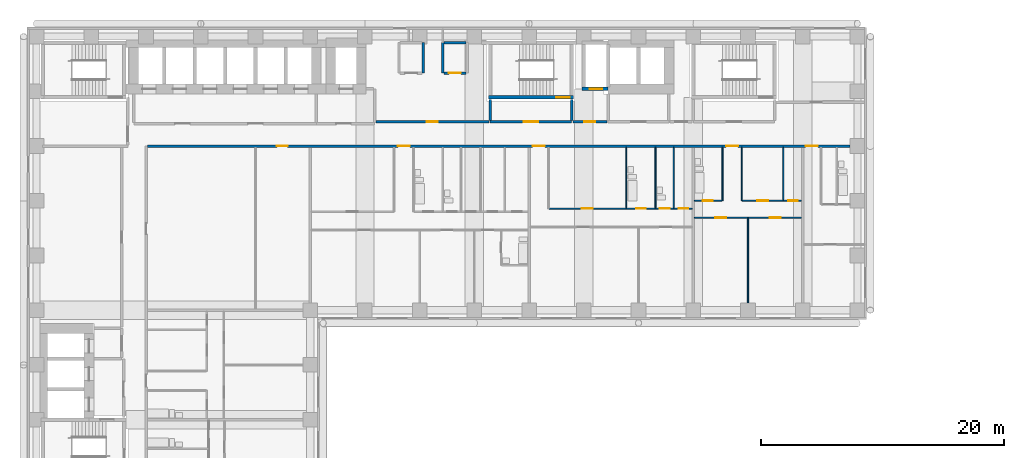
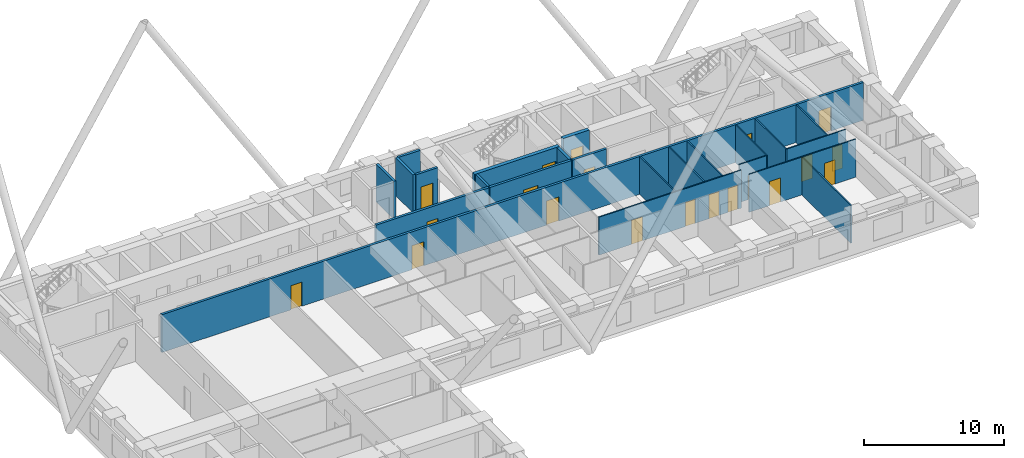
# One storey, part 13 of 20: 23 walls, 20 doors, 20 openings.
"""IFC4 building model written with IfcOpenShell, lengths in metres."""

from ifc_helpers import new_model, si_unit, direction, frame, frame_2d, origin, place, context, subcontext, project, spatial, rectangle, extrude, material, layer, layer_set, type_object, element, fill, save


model = new_model("IFC4")

# Units and contexts
model_context = context("Model", 3, precision=1e-05, world=origin(), true_north=direction((0.0, 1.0)))
body_context = subcontext(model_context, "Body", "Model", "MODEL_VIEW")
ifc_project = project(units=[si_unit("LENGTHUNIT", "METRE"), si_unit("AREAUNIT", "SQUARE_METRE"), si_unit("VOLUMEUNIT", "CUBIC_METRE"), si_unit("PLANEANGLEUNIT", "RADIAN"), si_unit("MASSUNIT", "GRAM", prefix="KILO")], contexts=[model_context])

# Site, building, storey
site_placement = place(None, origin())
site = spatial("IfcSite", under=ifc_project, at=site_placement, CompositionType="ELEMENT")
building_placement = place(site_placement, origin())
building = spatial("IfcBuilding", under=site, at=building_placement, Name="Firuza Court", CompositionType="ELEMENT")
storey_placement = place(building_placement, frame((0.0, 0.0, 29.0)))
storey = spatial("IfcBuildingStorey", under=building, at=storey_placement, Name="L05", CompositionType="ELEMENT", Elevation=29.0)

# Walls
ifc_material_1 = material(Name="Moisture-resistant gypsum board partition")
ifc_layer_1 = layer(ifc_material_1, 0.10009765625)
ifc_layer_set_1 = layer_set([ifc_layer_1], Name="Moisture-resistant gypsum board partition")
wall_type_1 = type_object("IfcWallType", Name="Bathroom partition 100", PredefinedType="PLUMBINGWALL", material=ifc_layer_set_1)
for number, where, z_axis, x_axis, name in (
    (1, (48.5, 44.39990234375, 0.0), (0.0, 0.0, 1.0), (0.0, 1.0, 0.0), "Bathroom partition 100 L05"),
    (2, (50.89990234375, 44.39990234375, 0.0), (0.0, 0.0, 1.0), (0.0, 1.0, 0.0), "Bathroom partition 100 L05"),
    (3, (52.39990234375, 44.39990234375, 0.0), (0.0, 0.0, 1.0), (0.0, 1.0, 0.0), "Bathroom partition 100 L05"),
):
    element("IfcWall", number, at=place(storey_placement, frame(where, z_axis=z_axis, x_axis=x_axis)), inside=storey, type_object=wall_type_1, Name=name, PredefinedType="PLUMBINGWALL", context=body_context, shape_type="SweptSolid", body=[
        extrude(rectangle(XDim=5.0, YDim=0.10009765625, at=frame_2d((2.5, 0.0))), origin(), (0.0, 0.0, 1.0), 3.300048828125),
    ])
wall_1_placement = place(storey_placement, frame((56.39990234375, 45.0, 0.0), z_axis=(0.0, 0.0, 1.0), x_axis=(0.0, 1.0, 0.0)))
element("IfcWall", 4, at=wall_1_placement, inside=storey, type_object=wall_type_1, Name="Bathroom partition 100 L05", PredefinedType="PLUMBINGWALL", context=body_context, shape_type="SweptSolid", body=[
    extrude(rectangle(XDim=4.39990234375, YDim=0.10009765625, at=frame_2d((2.199951171875, 0.0))), origin(), (0.0, 0.0, 1.0), 3.300048828125),
])

# Wall, opening, door
ifc_material_2 = material(Name="Concrete C60/75", Category="concrete")
ifc_layer_2 = layer(ifc_material_2, 0.300048828125)
ifc_layer_set_2 = layer_set([ifc_layer_2], Name="Concrete C60/75")
wall_type_2 = type_object("IfcWallType", Name="Core wall 300 C60/75", PredefinedType="SHEAR", material=ifc_layer_set_2)
wall_2_placement = place(storey_placement, frame((37.14990234375, 53.5, -0.300048828125), z_axis=(0.0, 0.0, 1.0), x_axis=(1.0, 0.0, 0.0)))
wall_2 = element("IfcWall", 5, at=wall_2_placement, inside=storey, type_object=wall_type_2, Name="Core wall stair L05", PredefinedType="SHEAR", context=body_context, shape_type="SweptSolid", body=[
    extrude(rectangle(XDim=7.0, YDim=0.300048828125, at=frame_2d((3.5, 0.0))), origin(), (0.0, 0.0, 1.0), 3.60009765625),
])
opening_1_placement = place(wall_2_placement, frame((5.580078125, 0.0, 0.300048828125)))
opening_1 = element("IfcOpeningElement", 6, at=opening_1_placement, cuts=wall_2, Name="Opening D05013", PredefinedType="OPENING", context=body_context, shape_type="SweptSolid", body=[
    extrude(rectangle(XDim=1.10009765625, YDim=2.10009765625, at=frame_2d((0.550048828125, 1.050048828125))), frame((0.0, 0.162109375, 0.0), z_axis=(0.0, -1.0, 0.0), x_axis=(1.0, 0.0, 0.0)), (0.0, 0.0, 1.0), 0.323974609375),
])
ifc_material_3 = material(Name="Timber door leaf in hardwood frame", Category="wood")
door_type_1 = type_object("IfcDoorType", Name="Stair door 1100", OperationType="SINGLE_SWING_LEFT", PredefinedType="DOOR", material=ifc_material_3)
door_1_placement = place(opening_1_placement, origin())
door_1 = element("IfcDoor", 7, at=door_1_placement, inside=storey, type_object=door_type_1, Name="Stair door S1", OperationType="SINGLE_SWING_RIGHT", OverallHeight=2.10009765625, OverallWidth=1.10009765625, PredefinedType="DOOR", context=body_context, shape_type="SweptSolid", body=[
    extrude(rectangle(XDim=1.10009765625, YDim=2.10009765625, at=frame_2d((0.550048828125, 1.050048828125))), frame((0.0, 0.02490234375, 0.0), z_axis=(0.0, -1.0, 0.0), x_axis=(1.0, 0.0, 0.0)), (0.0, 0.0, 1.0), 0.050048828125),
])
fill(opening_1, door_1)

wall_3_placement = place(storey_placement, frame((44.85009765625, 54.199951171875, -0.300048828125), z_axis=(0.0, 0.0, 1.0), x_axis=(1.0, 0.0, 0.0)))
wall_3 = element("IfcWall", 8, at=wall_3_placement, inside=storey, type_object=wall_type_2, Name="Core wall riser L05", PredefinedType="SHEAR", context=body_context, shape_type="SweptSolid", body=[
    extrude(rectangle(XDim=2.14990234375, YDim=0.300048828125, at=frame_2d((1.074951171875, 0.0))), origin(), (0.0, 0.0, 1.0), 3.60009765625),
])
opening_2_placement = place(wall_3_placement, frame((0.64990234375, 0.0, 0.300048828125)))
opening_2 = element("IfcOpeningElement", 9, at=opening_2_placement, cuts=wall_3, Name="Opening D05011", PredefinedType="OPENING", context=body_context, shape_type="SweptSolid", body=[
    extrude(rectangle(XDim=1.0, YDim=2.10009765625, at=frame_2d((0.5, 1.050048828125))), frame((0.0, 0.162109375, 0.0), z_axis=(0.0, -1.0, 0.0), x_axis=(1.0, 0.0, 0.0)), (0.0, 0.0, 1.0), 0.323974609375),
])
ifc_material_4 = material(Name="Timber door leaf in hardwood frame", Category="wood")
door_type_2 = type_object("IfcDoorType", Name="Riser door 1000", OperationType="SINGLE_SWING_LEFT", PredefinedType="DOOR", material=ifc_material_4)
door_2_placement = place(opening_2_placement, origin())
door_2 = element("IfcDoor", 10, at=door_2_placement, inside=storey, type_object=door_type_2, Name="Riser door R3", OperationType="SINGLE_SWING_LEFT", OverallHeight=2.10009765625, OverallWidth=1.0, PredefinedType="DOOR", context=body_context, shape_type="SweptSolid", body=[
    extrude(rectangle(XDim=1.0, YDim=2.10009765625, at=frame_2d((0.5, 1.050048828125))), frame((0.0, 0.02490234375, 0.0), z_axis=(0.0, -1.0, 0.0), x_axis=(1.0, 0.0, 0.0)), (0.0, 0.0, 1.0), 0.050048828125),
])
fill(opening_2, door_2)

# Wall, openings, doors
ifc_material_5 = material(Name="Blockwork, plastered both sides", Category="masonry")
ifc_layer_3 = layer(ifc_material_5, 0.199951171875)
ifc_layer_set_3 = layer_set([ifc_layer_3], Name="Blockwork, plastered both sides")
wall_type_3 = type_object("IfcWallType", Name="Corridor wall 200", PredefinedType="PARTITIONING", material=ifc_layer_set_3)
wall_4_placement = place(storey_placement, frame((9.10009765625, 49.5, 0.0), z_axis=(0.0, 0.0, 1.0), x_axis=(1.0, 0.0, 0.0)))
wall_4 = element("IfcWall", 11, at=wall_4_placement, inside=storey, type_object=wall_type_3, Name="Corridor wall 200 L05", PredefinedType="PARTITIONING", context=body_context, shape_type="SweptSolid", body=[
    extrude(rectangle(XDim=57.7998046875, YDim=0.199951171875, at=frame_2d((28.89990234375, 0.0))), origin(), (0.0, 0.0, 1.0), 3.300048828125),
])
opening_3_placement = place(wall_4_placement, frame((20.60009765625, 0.0, 0.0)))
opening_3 = element("IfcOpeningElement", 12, at=opening_3_placement, cuts=wall_4, Name="Opening D05066", PredefinedType="OPENING", context=body_context, shape_type="SweptSolid", body=[
    extrude(rectangle(XDim=1.0, YDim=2.10009765625, at=frame_2d((0.5, 1.050048828125))), frame((0.0, 0.11181640625, 0.0), z_axis=(0.0, -1.0, 0.0), x_axis=(1.0, 0.0, 0.0)), (0.0, 0.0, 1.0), 0.223876953125),
])
opening_4_placement = place(wall_4_placement, frame((31.699951171875, 0.0, 0.0)))
opening_4 = element("IfcOpeningElement", 13, at=opening_4_placement, cuts=wall_4, Name="Opening D05067", PredefinedType="OPENING", context=body_context, shape_type="SweptSolid", body=[
    extrude(rectangle(XDim=1.0, YDim=2.10009765625, at=frame_2d((0.5, 1.050048828125))), frame((0.0, 0.11181640625, 0.0), z_axis=(0.0, -1.0, 0.0), x_axis=(1.0, 0.0, 0.0)), (0.0, 0.0, 1.0), 0.223876953125),
])
opening_5_placement = place(wall_4_placement, frame((47.60009765625, 0.0, 0.0)))
opening_5 = element("IfcOpeningElement", 14, at=opening_5_placement, cuts=wall_4, Name="Opening D05068", PredefinedType="OPENING", context=body_context, shape_type="SweptSolid", body=[
    extrude(rectangle(XDim=1.0, YDim=2.10009765625, at=frame_2d((0.5, 1.050048828125))), frame((0.0, 0.11181640625, 0.0), z_axis=(0.0, -1.0, 0.0), x_axis=(1.0, 0.0, 0.0)), (0.0, 0.0, 1.0), 0.223876953125),
])
opening_6_placement = place(wall_4_placement, frame((54.14990234375, 0.0, 0.0)))
opening_6 = element("IfcOpeningElement", 15, at=opening_6_placement, cuts=wall_4, Name="Opening D05069", PredefinedType="OPENING", context=body_context, shape_type="SweptSolid", body=[
    extrude(rectangle(XDim=1.0, YDim=2.10009765625, at=frame_2d((0.5, 1.050048828125))), frame((0.0, 0.11181640625, 0.0), z_axis=(0.0, -1.0, 0.0), x_axis=(1.0, 0.0, 0.0)), (0.0, 0.0, 1.0), 0.223876953125),
])
opening_7_placement = place(wall_4_placement, frame((10.64990234375, 0.0, 0.0)))
opening_7 = element("IfcOpeningElement", 16, at=opening_7_placement, cuts=wall_4, Name="Opening D05070", PredefinedType="OPENING", context=body_context, shape_type="SweptSolid", body=[
    extrude(rectangle(XDim=0.89990234375, YDim=2.10009765625, at=frame_2d((0.449951171875, 1.050048828125))), frame((0.0, 0.11181640625, 0.0), z_axis=(0.0, -1.0, 0.0), x_axis=(1.0, 0.0, 0.0)), (0.0, 0.0, 1.0), 0.223876953125),
])
ifc_material_6 = material(Name="Timber door leaf in hardwood frame", Category="wood")
door_type_3 = type_object("IfcDoorType", Name="Flat entrance door 1000", OperationType="SINGLE_SWING_LEFT", PredefinedType="DOOR", material=ifc_material_6)
door_3_placement = place(opening_3_placement, origin())
door_3 = element("IfcDoor", 17, at=door_3_placement, inside=storey, type_object=door_type_3, Name="Flat entrance door", OperationType="SINGLE_SWING_LEFT", OverallHeight=2.10009765625, OverallWidth=1.0, PredefinedType="DOOR", context=body_context, shape_type="SweptSolid", body=[
    extrude(rectangle(XDim=1.0, YDim=2.10009765625, at=frame_2d((0.5, 1.050048828125))), frame((0.0, 0.02490234375, 0.0), z_axis=(0.0, -1.0, 0.0), x_axis=(1.0, 0.0, 0.0)), (0.0, 0.0, 1.0), 0.050048828125),
])
fill(opening_3, door_3)
door_4_placement = place(opening_4_placement, origin())
door_4 = element("IfcDoor", 18, at=door_4_placement, inside=storey, type_object=door_type_3, Name="Flat entrance door", OperationType="SINGLE_SWING_LEFT", OverallHeight=2.10009765625, OverallWidth=1.0, PredefinedType="DOOR", context=body_context, shape_type="SweptSolid", body=[
    extrude(rectangle(XDim=1.0, YDim=2.10009765625, at=frame_2d((0.5, 1.050048828125))), frame((0.0, 0.02490234375, 0.0), z_axis=(0.0, -1.0, 0.0), x_axis=(1.0, 0.0, 0.0)), (0.0, 0.0, 1.0), 0.050048828125),
])
fill(opening_4, door_4)
door_5_placement = place(opening_5_placement, origin())
door_5 = element("IfcDoor", 19, at=door_5_placement, inside=storey, type_object=door_type_3, Name="Flat entrance door", OperationType="SINGLE_SWING_LEFT", OverallHeight=2.10009765625, OverallWidth=1.0, PredefinedType="DOOR", context=body_context, shape_type="SweptSolid", body=[
    extrude(rectangle(XDim=1.0, YDim=2.10009765625, at=frame_2d((0.5, 1.050048828125))), frame((0.0, 0.02490234375, 0.0), z_axis=(0.0, -1.0, 0.0), x_axis=(1.0, 0.0, 0.0)), (0.0, 0.0, 1.0), 0.050048828125),
])
fill(opening_5, door_5)
door_6_placement = place(opening_6_placement, origin())
door_6 = element("IfcDoor", 20, at=door_6_placement, inside=storey, type_object=door_type_3, Name="Flat entrance door", OperationType="SINGLE_SWING_RIGHT", OverallHeight=2.10009765625, OverallWidth=1.0, PredefinedType="DOOR", context=body_context, shape_type="SweptSolid", body=[
    extrude(rectangle(XDim=1.0, YDim=2.10009765625, at=frame_2d((0.5, 1.050048828125))), frame((0.0, 0.02490234375, 0.0), z_axis=(0.0, -1.0, 0.0), x_axis=(1.0, 0.0, 0.0)), (0.0, 0.0, 1.0), 0.050048828125),
])
fill(opening_6, door_6)
ifc_material_7 = material(Name="Timber door leaf in hardwood frame", Category="wood")
door_type_4 = type_object("IfcDoorType", Name="Room door 900 EI 30", OperationType="SINGLE_SWING_LEFT", PredefinedType="DOOR", material=ifc_material_7)
door_7_placement = place(opening_7_placement, frame((0.89990234375, 0.0, 0.0), z_axis=(0.0, 0.0, 1.0), x_axis=(-1.0, 0.0, 0.0)))
door_7 = element("IfcDoor", 21, at=door_7_placement, inside=storey, type_object=door_type_4, Name="Library door", OperationType="SINGLE_SWING_RIGHT", OverallHeight=2.10009765625, OverallWidth=0.89990234375, PredefinedType="DOOR", context=body_context, shape_type="SweptSolid", body=[
    extrude(rectangle(XDim=0.89990234375, YDim=2.10009765625, at=frame_2d((0.449951171875, 1.050048828125))), frame((0.0, 0.02490234375, 0.0), z_axis=(0.0, -1.0, 0.0), x_axis=(1.0, 0.0, 0.0)), (0.0, 0.0, 1.0), 0.050048828125),
])
fill(opening_7, door_7)

# Wall, opening, door
wall_5_placement = place(storey_placement, frame((27.89990234375, 51.5, 0.0), z_axis=(0.0, 0.0, 1.0), x_axis=(1.0, 0.0, 0.0)))
wall_5 = element("IfcWall", 22, at=wall_5_placement, inside=storey, type_object=wall_type_3, Name="Corridor wall 200 L05", PredefinedType="PARTITIONING", context=body_context, shape_type="SweptSolid", body=[
    extrude(rectangle(XDim=9.300048828125, YDim=0.199951171875, at=frame_2d((4.64990234375, 0.0))), origin(), (0.0, 0.0, 1.0), 3.300048828125),
])
opening_8_placement = place(wall_5_placement, frame((4.199951171875, 0.0, 0.0)))
opening_8 = element("IfcOpeningElement", 23, at=opening_8_placement, cuts=wall_5, Name="Opening D05071", PredefinedType="OPENING", context=body_context, shape_type="SweptSolid", body=[
    extrude(rectangle(XDim=0.89990234375, YDim=2.10009765625, at=frame_2d((0.449951171875, 1.050048828125))), frame((0.0, 0.11181640625, 0.0), z_axis=(0.0, -1.0, 0.0), x_axis=(1.0, 0.0, 0.0)), (0.0, 0.0, 1.0), 0.223876953125),
])
door_8_placement = place(opening_8_placement, origin())
door_8 = element("IfcDoor", 24, at=door_8_placement, inside=storey, type_object=door_type_4, Name="Meeting room door", OperationType="SINGLE_SWING_LEFT", OverallHeight=2.10009765625, OverallWidth=0.89990234375, PredefinedType="DOOR", context=body_context, shape_type="SweptSolid", body=[
    extrude(rectangle(XDim=0.89990234375, YDim=2.10009765625, at=frame_2d((0.449951171875, 1.050048828125))), frame((0.0, 0.02490234375, 0.0), z_axis=(0.0, -1.0, 0.0), x_axis=(1.0, 0.0, 0.0)), (0.0, 0.0, 1.0), 0.050048828125),
])
fill(opening_8, door_8)

wall_6_placement = place(storey_placement, frame((44.10009765625, 51.5, 0.0), z_axis=(0.0, 0.0, 1.0), x_axis=(1.0, 0.0, 0.0)))
wall_6 = element("IfcWall", 25, at=wall_6_placement, inside=storey, type_object=wall_type_3, Name="Corridor wall 200 L05", PredefinedType="PARTITIONING", context=body_context, shape_type="SweptSolid", body=[
    extrude(rectangle(XDim=2.7998046875, YDim=0.199951171875, at=frame_2d((1.39990234375, 0.0))), origin(), (0.0, 0.0, 1.0), 3.300048828125),
])
opening_9_placement = place(wall_6_placement, frame((0.949951171875, 0.0, 0.0)))
opening_9 = element("IfcOpeningElement", 26, at=opening_9_placement, cuts=wall_6, Name="Opening D05072", PredefinedType="OPENING", context=body_context, shape_type="SweptSolid", body=[
    extrude(rectangle(XDim=0.89990234375, YDim=2.10009765625, at=frame_2d((0.449951171875, 1.050048828125))), frame((0.0, 0.11181640625, 0.0), z_axis=(0.0, -1.0, 0.0), x_axis=(1.0, 0.0, 0.0)), (0.0, 0.0, 1.0), 0.223876953125),
])
door_9_placement = place(opening_9_placement, origin())
door_9 = element("IfcDoor", 27, at=door_9_placement, inside=storey, type_object=door_type_4, Name="Staff pantry door", OperationType="SINGLE_SWING_LEFT", OverallHeight=2.10009765625, OverallWidth=0.89990234375, PredefinedType="DOOR", context=body_context, shape_type="SweptSolid", body=[
    extrude(rectangle(XDim=0.89990234375, YDim=2.10009765625, at=frame_2d((0.449951171875, 1.050048828125))), frame((0.0, 0.02490234375, 0.0), z_axis=(0.0, -1.0, 0.0), x_axis=(1.0, 0.0, 0.0)), (0.0, 0.0, 1.0), 0.050048828125),
])
fill(opening_9, door_9)

# Wall
ifc_material_8 = material(Name="Timber stud partition, plasterboard both sides", Category="wood")
ifc_layer_4 = layer(ifc_material_8, 0.10009765625)
ifc_layer_set_4 = layer_set([ifc_layer_4], Name="Timber stud partition, plasterboard both sides")
wall_type_4 = type_object("IfcWallType", Name="Partition wall 100", PredefinedType="PARTITIONING", material=ifc_layer_set_4)
wall_7_placement = place(storey_placement, frame((58.5, 36.60009765625, 0.0), z_axis=(0.0, 0.0, 1.0), x_axis=(0.0, 1.0, 0.0)))
element("IfcWall", 28, at=wall_7_placement, inside=storey, type_object=wall_type_4, Name="Partition wall 100 L05", PredefinedType="PARTITIONING", context=body_context, shape_type="SweptSolid", body=[
    extrude(rectangle(XDim=6.949951171875, YDim=0.10009765625, at=frame_2d((3.47509765625, 0.0))), origin(), (0.0, 0.0, 1.0), 3.300048828125),
])

# Wall, openings, doors
wall_8_placement = place(storey_placement, frame((54.10009765625, 43.60009765625, 0.0), z_axis=(0.0, 0.0, 1.0), x_axis=(1.0, 0.0, 0.0)))
wall_8 = element("IfcWall", 29, at=wall_8_placement, inside=storey, type_object=wall_type_4, Name="Partition wall 100 L05", PredefinedType="PARTITIONING", context=body_context, shape_type="SweptSolid", body=[
    extrude(rectangle(XDim=8.7998046875, YDim=0.10009765625, at=frame_2d((4.39990234375, 0.0))), origin(), (0.0, 0.0, 1.0), 3.300048828125),
])
opening_10_placement = place(wall_8_placement, frame((1.699951171875, 0.0, 0.0)))
opening_10 = element("IfcOpeningElement", 30, at=opening_10_placement, cuts=wall_8, Name="Opening D05049", PredefinedType="OPENING", context=body_context, shape_type="SweptSolid", body=[
    extrude(rectangle(XDim=0.89990234375, YDim=2.10009765625, at=frame_2d((0.449951171875, 1.050048828125))), frame((0.0, 0.06201171875, 0.0), z_axis=(0.0, -1.0, 0.0), x_axis=(1.0, 0.0, 0.0)), (0.0, 0.0, 1.0), 0.1240234375),
])
opening_11_placement = place(wall_8_placement, frame((6.199951171875, 0.0, 0.0)))
opening_11 = element("IfcOpeningElement", 31, at=opening_11_placement, cuts=wall_8, Name="Opening D05050", PredefinedType="OPENING", context=body_context, shape_type="SweptSolid", body=[
    extrude(rectangle(XDim=0.89990234375, YDim=2.10009765625, at=frame_2d((0.449951171875, 1.050048828125))), frame((0.0, 0.06201171875, 0.0), z_axis=(0.0, -1.0, 0.0), x_axis=(1.0, 0.0, 0.0)), (0.0, 0.0, 1.0), 0.1240234375),
])
ifc_material_9 = material(Name="Timber door leaf in hardwood frame", Category="wood")
door_type_5 = type_object("IfcDoorType", Name="Room door 900", OperationType="SINGLE_SWING_LEFT", PredefinedType="DOOR", material=ifc_material_9)
door_10_placement = place(opening_10_placement, frame((0.89990234375, 0.0, 0.0), z_axis=(0.0, 0.0, 1.0), x_axis=(-1.0, 0.0, 0.0)))
door_10 = element("IfcDoor", 32, at=door_10_placement, inside=storey, type_object=door_type_5, Name="Bedroom door", OperationType="SINGLE_SWING_RIGHT", OverallHeight=2.10009765625, OverallWidth=0.89990234375, PredefinedType="DOOR", context=body_context, shape_type="SweptSolid", body=[
    extrude(rectangle(XDim=0.89990234375, YDim=2.10009765625, at=frame_2d((0.449951171875, 1.050048828125))), frame((0.0, 0.02490234375, 0.0), z_axis=(0.0, -1.0, 0.0), x_axis=(1.0, 0.0, 0.0)), (0.0, 0.0, 1.0), 0.050048828125),
])
fill(opening_10, door_10)
door_11_placement = place(opening_11_placement, frame((0.89990234375, 0.0, 0.0), z_axis=(0.0, 0.0, 1.0), x_axis=(-1.0, 0.0, 0.0)))
door_11 = element("IfcDoor", 33, at=door_11_placement, inside=storey, type_object=door_type_5, Name="Living room door", OperationType="SINGLE_SWING_RIGHT", OverallHeight=2.10009765625, OverallWidth=0.89990234375, PredefinedType="DOOR", context=body_context, shape_type="SweptSolid", body=[
    extrude(rectangle(XDim=0.89990234375, YDim=2.10009765625, at=frame_2d((0.449951171875, 1.050048828125))), frame((0.0, 0.02490234375, 0.0), z_axis=(0.0, -1.0, 0.0), x_axis=(1.0, 0.0, 0.0)), (0.0, 0.0, 1.0), 0.050048828125),
])
fill(opening_11, door_11)

wall_9_placement = place(storey_placement, frame((42.14990234375, 44.35009765625, 0.0), z_axis=(0.0, 0.0, 1.0), x_axis=(1.0, 0.0, 0.0)))
wall_9 = element("IfcWall", 34, at=wall_9_placement, inside=storey, type_object=wall_type_4, Name="Partition wall 100 L05", PredefinedType="PARTITIONING", context=body_context, shape_type="SweptSolid", body=[
    extrude(rectangle(XDim=11.75, YDim=0.10009765625, at=frame_2d((5.875, 0.0))), origin(), (0.0, 0.0, 1.0), 3.300048828125),
])
opening_12_placement = place(wall_9_placement, frame((7.14990234375, 0.0, 0.0)))
opening_12 = element("IfcOpeningElement", 35, at=opening_12_placement, cuts=wall_9, Name="Opening D05057", PredefinedType="OPENING", context=body_context, shape_type="SweptSolid", body=[
    extrude(rectangle(XDim=0.800048828125, YDim=2.10009765625, at=frame_2d((0.39990234375, 1.050048828125))), frame((0.0, 0.06201171875, 0.0), z_axis=(0.0, -1.0, 0.0), x_axis=(1.0, 0.0, 0.0)), (0.0, 0.0, 1.0), 0.1240234375),
])
opening_13_placement = place(wall_9_placement, frame((2.699951171875, 0.0, 0.0)))
opening_13 = element("IfcOpeningElement", 36, at=opening_13_placement, cuts=wall_9, Name="Opening D05058", PredefinedType="OPENING", context=body_context, shape_type="SweptSolid", body=[
    extrude(rectangle(XDim=0.89990234375, YDim=2.10009765625, at=frame_2d((0.449951171875, 1.050048828125))), frame((0.0, 0.06201171875, 0.0), z_axis=(0.0, -1.0, 0.0), x_axis=(1.0, 0.0, 0.0)), (0.0, 0.0, 1.0), 0.1240234375),
])
opening_14_placement = place(wall_9_placement, frame((10.64990234375, 0.0, 0.0)))
opening_14 = element("IfcOpeningElement", 37, at=opening_14_placement, cuts=wall_9, Name="Opening D05059", PredefinedType="OPENING", context=body_context, shape_type="SweptSolid", body=[
    extrude(rectangle(XDim=0.800048828125, YDim=2.10009765625, at=frame_2d((0.39990234375, 1.050048828125))), frame((0.0, 0.06201171875, 0.0), z_axis=(0.0, -1.0, 0.0), x_axis=(1.0, 0.0, 0.0)), (0.0, 0.0, 1.0), 0.1240234375),
])
opening_15_placement = place(wall_9_placement, frame((9.10009765625, 0.0, 0.0)))
opening_15 = element("IfcOpeningElement", 38, at=opening_15_placement, cuts=wall_9, Name="Opening D05060", PredefinedType="OPENING", context=body_context, shape_type="SweptSolid", body=[
    extrude(rectangle(XDim=0.800048828125, YDim=2.10009765625, at=frame_2d((0.39990234375, 1.050048828125))), frame((0.0, 0.06201171875, 0.0), z_axis=(0.0, -1.0, 0.0), x_axis=(1.0, 0.0, 0.0)), (0.0, 0.0, 1.0), 0.1240234375),
])
ifc_material_10 = material(Name="Timber door leaf in hardwood frame", Category="wood")
door_type_6 = type_object("IfcDoorType", Name="Bathroom door 800", OperationType="SINGLE_SWING_LEFT", PredefinedType="DOOR", material=ifc_material_10)
door_12_placement = place(opening_12_placement, origin())
door_12 = element("IfcDoor", 39, at=door_12_placement, inside=storey, type_object=door_type_6, Name="Bathroom door", OperationType="SINGLE_SWING_LEFT", OverallHeight=2.10009765625, OverallWidth=0.800048828125, PredefinedType="DOOR", context=body_context, shape_type="SweptSolid", body=[
    extrude(rectangle(XDim=0.800048828125, YDim=2.10009765625, at=frame_2d((0.39990234375, 1.050048828125))), frame((0.0, 0.02490234375, 0.0), z_axis=(0.0, -1.0, 0.0), x_axis=(1.0, 0.0, 0.0)), (0.0, 0.0, 1.0), 0.050048828125),
])
fill(opening_12, door_12)
door_13_placement = place(opening_15_placement, origin())
door_13 = element("IfcDoor", 40, at=door_13_placement, inside=storey, type_object=door_type_6, Name="Powder room door", OperationType="SINGLE_SWING_LEFT", OverallHeight=2.10009765625, OverallWidth=0.800048828125, PredefinedType="DOOR", context=body_context, shape_type="SweptSolid", body=[
    extrude(rectangle(XDim=0.800048828125, YDim=2.10009765625, at=frame_2d((0.39990234375, 1.050048828125))), frame((0.0, 0.02490234375, 0.0), z_axis=(0.0, -1.0, 0.0), x_axis=(1.0, 0.0, 0.0)), (0.0, 0.0, 1.0), 0.050048828125),
])
fill(opening_15, door_13)
ifc_material_11 = material(Name="Timber door leaf in hardwood frame", Category="wood")
door_type_7 = type_object("IfcDoorType", Name="Room door 800", OperationType="SINGLE_SWING_LEFT", PredefinedType="DOOR", material=ifc_material_11)
door_14_placement = place(opening_14_placement, origin())
door_14 = element("IfcDoor", 41, at=door_14_placement, inside=storey, type_object=door_type_7, Name="Store door", OperationType="SINGLE_SWING_LEFT", OverallHeight=2.10009765625, OverallWidth=0.800048828125, PredefinedType="DOOR", context=body_context, shape_type="SweptSolid", body=[
    extrude(rectangle(XDim=0.800048828125, YDim=2.10009765625, at=frame_2d((0.39990234375, 1.050048828125))), frame((0.0, 0.02490234375, 0.0), z_axis=(0.0, -1.0, 0.0), x_axis=(1.0, 0.0, 0.0)), (0.0, 0.0, 1.0), 0.050048828125),
])
fill(opening_14, door_14)
door_15_placement = place(opening_13_placement, origin())
door_15 = element("IfcDoor", 42, at=door_15_placement, inside=storey, type_object=door_type_5, Name="Kitchen door", OperationType="SINGLE_SWING_LEFT", OverallHeight=2.10009765625, OverallWidth=0.89990234375, PredefinedType="DOOR", context=body_context, shape_type="SweptSolid", body=[
    extrude(rectangle(XDim=0.89990234375, YDim=2.10009765625, at=frame_2d((0.449951171875, 1.050048828125))), frame((0.0, 0.02490234375, 0.0), z_axis=(0.0, -1.0, 0.0), x_axis=(1.0, 0.0, 0.0)), (0.0, 0.0, 1.0), 0.050048828125),
])
fill(opening_13, door_15)

# Wall, opening, door
wall_10_placement = place(storey_placement, frame((54.10009765625, 45.0, 0.0), z_axis=(0.0, 0.0, 1.0), x_axis=(1.0, 0.0, 0.0)))
wall_10 = element("IfcWall", 43, at=wall_10_placement, inside=storey, type_object=wall_type_4, Name="Partition wall 100 L05", PredefinedType="PARTITIONING", context=body_context, shape_type="SweptSolid", body=[
    extrude(rectangle(XDim=2.25, YDim=0.10009765625, at=frame_2d((1.125, 0.0))), origin(), (0.0, 0.0, 1.0), 3.300048828125),
])
opening_16_placement = place(wall_10_placement, frame((0.699951171875, 0.0, 0.0)))
opening_16 = element("IfcOpeningElement", 44, at=opening_16_placement, cuts=wall_10, Name="Opening D05063", PredefinedType="OPENING", context=body_context, shape_type="SweptSolid", body=[
    extrude(rectangle(XDim=0.800048828125, YDim=2.10009765625, at=frame_2d((0.39990234375, 1.050048828125))), frame((0.0, 0.06201171875, 0.0), z_axis=(0.0, -1.0, 0.0), x_axis=(1.0, 0.0, 0.0)), (0.0, 0.0, 1.0), 0.1240234375),
])
door_16_placement = place(opening_16_placement, origin())
door_16 = element("IfcDoor", 45, at=door_16_placement, inside=storey, type_object=door_type_6, Name="Bathroom door", OperationType="SINGLE_SWING_LEFT", OverallHeight=2.10009765625, OverallWidth=0.800048828125, PredefinedType="DOOR", context=body_context, shape_type="SweptSolid", body=[
    extrude(rectangle(XDim=0.800048828125, YDim=2.10009765625, at=frame_2d((0.39990234375, 1.050048828125))), frame((0.0, 0.02490234375, 0.0), z_axis=(0.0, -1.0, 0.0), x_axis=(1.0, 0.0, 0.0)), (0.0, 0.0, 1.0), 0.050048828125),
])
fill(opening_16, door_16)

# Wall
wall_11_placement = place(storey_placement, frame((58.0, 45.0, 0.0), z_axis=(0.0, 0.0, 1.0), x_axis=(0.0, 1.0, 0.0)))
element("IfcWall", 46, at=wall_11_placement, inside=storey, type_object=wall_type_4, Name="Partition wall 100 L05", PredefinedType="PARTITIONING", context=body_context, shape_type="SweptSolid", body=[
    extrude(rectangle(XDim=4.39990234375, YDim=0.10009765625, at=frame_2d((2.199951171875, 0.0))), origin(), (0.0, 0.0, 1.0), 3.300048828125),
])

# Wall, openings, doors
wall_12_placement = place(storey_placement, frame((58.050048828125, 45.0, 0.0), z_axis=(0.0, 0.0, 1.0), x_axis=(1.0, 0.0, 0.0)))
wall_12 = element("IfcWall", 47, at=wall_12_placement, inside=storey, type_object=wall_type_4, Name="Partition wall 100 L05", PredefinedType="PARTITIONING", context=body_context, shape_type="SweptSolid", body=[
    extrude(rectangle(XDim=4.849853515625, YDim=0.10009765625, at=frame_2d((2.4248046875, 0.0))), origin(), (0.0, 0.0, 1.0), 3.300048828125),
])
opening_17_placement = place(wall_12_placement, frame((1.199951171875, 0.0, 0.0)))
opening_17 = element("IfcOpeningElement", 48, at=opening_17_placement, cuts=wall_12, Name="Opening D05064", PredefinedType="OPENING", context=body_context, shape_type="SweptSolid", body=[
    extrude(rectangle(XDim=0.89990234375, YDim=2.10009765625, at=frame_2d((0.449951171875, 1.050048828125))), frame((0.0, 0.06201171875, 0.0), z_axis=(0.0, -1.0, 0.0), x_axis=(1.0, 0.0, 0.0)), (0.0, 0.0, 1.0), 0.1240234375),
])
opening_18_placement = place(wall_12_placement, frame((3.75, 0.0, 0.0)))
opening_18 = element("IfcOpeningElement", 49, at=opening_18_placement, cuts=wall_12, Name="Opening D05065", PredefinedType="OPENING", context=body_context, shape_type="SweptSolid", body=[
    extrude(rectangle(XDim=0.800048828125, YDim=2.10009765625, at=frame_2d((0.39990234375, 1.050048828125))), frame((0.0, 0.06201171875, 0.0), z_axis=(0.0, -1.0, 0.0), x_axis=(1.0, 0.0, 0.0)), (0.0, 0.0, 1.0), 0.1240234375),
])
door_17_placement = place(opening_18_placement, origin())
door_17 = element("IfcDoor", 50, at=door_17_placement, inside=storey, type_object=door_type_7, Name="Store door", OperationType="SINGLE_SWING_LEFT", OverallHeight=2.10009765625, OverallWidth=0.800048828125, PredefinedType="DOOR", context=body_context, shape_type="SweptSolid", body=[
    extrude(rectangle(XDim=0.800048828125, YDim=2.10009765625, at=frame_2d((0.39990234375, 1.050048828125))), frame((0.0, 0.02490234375, 0.0), z_axis=(0.0, -1.0, 0.0), x_axis=(1.0, 0.0, 0.0)), (0.0, 0.0, 1.0), 0.050048828125),
])
fill(opening_18, door_17)
door_18_placement = place(opening_17_placement, origin())
door_18 = element("IfcDoor", 51, at=door_18_placement, inside=storey, type_object=door_type_5, Name="Kitchen door", OperationType="SINGLE_SWING_LEFT", OverallHeight=2.10009765625, OverallWidth=0.89990234375, PredefinedType="DOOR", context=body_context, shape_type="SweptSolid", body=[
    extrude(rectangle(XDim=0.89990234375, YDim=2.10009765625, at=frame_2d((0.449951171875, 1.050048828125))), frame((0.0, 0.02490234375, 0.0), z_axis=(0.0, -1.0, 0.0), x_axis=(1.0, 0.0, 0.0)), (0.0, 0.0, 1.0), 0.050048828125),
])
fill(opening_17, door_18)

# Walls
wall_13_placement = place(storey_placement, frame((61.39990234375, 45.050048828125, 0.0), z_axis=(0.0, 0.0, 1.0), x_axis=(0.0, 1.0, 0.0)))
element("IfcWall", 52, at=wall_13_placement, inside=storey, type_object=wall_type_4, Name="Partition wall 100 L05", PredefinedType="PARTITIONING", context=body_context, shape_type="SweptSolid", body=[
    extrude(rectangle(XDim=4.349853515625, YDim=0.10009765625, at=frame_2d((2.1748046875, 0.0))), origin(), (0.0, 0.0, 1.0), 3.300048828125),
])
ifc_material_12 = material(Name="Blockwork, fire-rated", Category="masonry")
ifc_layer_5 = layer(ifc_material_12, 0.199951171875)
ifc_layer_set_5 = layer_set([ifc_layer_5], Name="Blockwork, fire-rated")
wall_type_5 = type_object("IfcWallType", Name="Plant room wall 200", PredefinedType="PARTITIONING", material=ifc_layer_set_5)
for number, where, z_axis, x_axis, name in (
    (53, (31.800048828125, 55.5, 0.0), (0.0, 0.0, 1.0), (0.0, 1.0, 0.0), "Plant room wall 200 L05"),
    (54, (33.39990234375, 55.5, 0.0), (0.0, 0.0, 1.0), (0.0, 1.0, 0.0), "Plant room wall 200 L05"),
):
    element("IfcWall", number, at=place(storey_placement, frame(where, z_axis=z_axis, x_axis=x_axis)), inside=storey, type_object=wall_type_5, Name=name, PredefinedType="PARTITIONING", context=body_context, shape_type="SweptSolid", body=[
        extrude(rectangle(XDim=2.5, YDim=0.199951171875, at=frame_2d((1.25, 0.0))), origin(), (0.0, 0.0, 1.0), 3.300048828125),
    ])

# Wall, opening, door
wall_14_placement = place(storey_placement, frame((33.5, 55.5, 0.0), z_axis=(0.0, 0.0, 1.0), x_axis=(1.0, 0.0, 0.0)))
wall_14 = element("IfcWall", 55, at=wall_14_placement, inside=storey, type_object=wall_type_5, Name="Plant room wall 200 L05", PredefinedType="PARTITIONING", context=body_context, shape_type="SweptSolid", body=[
    extrude(rectangle(XDim=1.800048828125, YDim=0.199951171875, at=frame_2d((0.89990234375, 0.0))), origin(), (0.0, 0.0, 1.0), 3.300048828125),
])
opening_19_placement = place(wall_14_placement, frame((0.39990234375, 0.0, 0.0)))
opening_19 = element("IfcOpeningElement", 56, at=opening_19_placement, cuts=wall_14, Name="Opening D05076", PredefinedType="OPENING", context=body_context, shape_type="SweptSolid", body=[
    extrude(rectangle(XDim=1.0, YDim=2.10009765625, at=frame_2d((0.5, 1.050048828125))), frame((0.0, 0.11181640625, 0.0), z_axis=(0.0, -1.0, 0.0), x_axis=(1.0, 0.0, 0.0)), (0.0, 0.0, 1.0), 0.223876953125),
])
door_19_placement = place(opening_19_placement, origin())
door_19 = element("IfcDoor", 57, at=door_19_placement, inside=storey, type_object=door_type_2, Name="Duct riser door", OperationType="SINGLE_SWING_LEFT", OverallHeight=2.10009765625, OverallWidth=1.0, PredefinedType="DOOR", context=body_context, shape_type="SweptSolid", body=[
    extrude(rectangle(XDim=1.0, YDim=2.10009765625, at=frame_2d((0.5, 1.050048828125))), frame((0.0, 0.02490234375, 0.0), z_axis=(0.0, -1.0, 0.0), x_axis=(1.0, 0.0, 0.0)), (0.0, 0.0, 1.0), 0.050048828125),
])
fill(opening_19, door_19)

# Wall
wall_15_placement = place(storey_placement, frame((33.5, 58.0, 0.0), z_axis=(0.0, 0.0, 1.0), x_axis=(1.0, 0.0, 0.0)))
element("IfcWall", 58, at=wall_15_placement, inside=storey, type_object=wall_type_5, Name="Plant room wall 200 L05", PredefinedType="PARTITIONING", context=body_context, shape_type="SweptSolid", body=[
    extrude(rectangle(XDim=1.800048828125, YDim=0.199951171875, at=frame_2d((0.89990234375, 0.0))), origin(), (0.0, 0.0, 1.0), 3.300048828125),
])

# Wall, opening, door
ifc_layer_6 = layer(ifc_material_12, 0.199951171875)
ifc_layer_set_6 = layer_set([ifc_layer_6], Name="Blockwork, fire-rated")
wall_type_6 = type_object("IfcWallType", Name="Shaft wall 200", PredefinedType="PARTITIONING", material=ifc_layer_set_6)
wall_16_placement = place(storey_placement, frame((37.300048828125, 51.5, 0.0), z_axis=(0.0, 0.0, 1.0), x_axis=(1.0, 0.0, 0.0)))
wall_16 = element("IfcWall", 59, at=wall_16_placement, inside=storey, type_object=wall_type_6, Name="Shaft wall 200 L05", PredefinedType="PARTITIONING", context=body_context, shape_type="SweptSolid", body=[
    extrude(rectangle(XDim=6.699951171875, YDim=0.199951171875, at=frame_2d((3.35009765625, 0.0))), origin(), (0.0, 0.0, 1.0), 3.300048828125),
])
opening_20_placement = place(wall_16_placement, frame((2.75, 0.0, 0.0)))
opening_20 = element("IfcOpeningElement", 60, at=opening_20_placement, cuts=wall_16, Name="Opening D05006", PredefinedType="OPENING", context=body_context, shape_type="SweptSolid", body=[
    extrude(rectangle(XDim=1.199951171875, YDim=2.10009765625, at=frame_2d((0.60009765625, 1.050048828125))), frame((0.0, 0.11181640625, 0.0), z_axis=(0.0, -1.0, 0.0), x_axis=(1.0, 0.0, 0.0)), (0.0, 0.0, 1.0), 0.223876953125),
])
ifc_material_13 = material(Name="Timber door leaf in hardwood frame", Category="wood")
door_type_8 = type_object("IfcDoorType", Name="Lobby door 1200", OperationType="SINGLE_SWING_LEFT", PredefinedType="DOOR", material=ifc_material_13)
door_20_placement = place(opening_20_placement, origin())
door_20 = element("IfcDoor", 61, at=door_20_placement, inside=storey, type_object=door_type_8, Name="Lobby door", OperationType="SINGLE_SWING_LEFT", OverallHeight=2.10009765625, OverallWidth=1.199951171875, PredefinedType="DOOR", context=body_context, shape_type="SweptSolid", body=[
    extrude(rectangle(XDim=1.199951171875, YDim=2.10009765625, at=frame_2d((0.60009765625, 1.050048828125))), frame((0.0, 0.02490234375, 0.0), z_axis=(0.0, -1.0, 0.0), x_axis=(1.0, 0.0, 0.0)), (0.0, 0.0, 1.0), 0.050048828125),
])
fill(opening_20, door_20)

# Walls
for number, where, z_axis, x_axis, name in (
    (62, (44.0, 51.60009765625, 0.0), (0.0, 0.0, 1.0), (0.0, 1.0, 0.0), "Shaft wall 200 L05"),
    (63, (37.300048828125, 51.60009765625, 0.0), (0.0, 0.0, 1.0), (0.0, 1.0, 0.0), "Shaft wall 200 L05"),
):
    element("IfcWall", number, at=place(storey_placement, frame(where, z_axis=z_axis, x_axis=x_axis)), inside=storey, type_object=wall_type_6, Name=name, PredefinedType="PARTITIONING", context=body_context, shape_type="SweptSolid", body=[
        extrude(rectangle(XDim=1.72998046875, YDim=0.199951171875, at=frame_2d((0.864990234375, 0.0))), origin(), (0.0, 0.0, 1.0), 3.300048828125),
    ])

save(model, "model.ifc")
